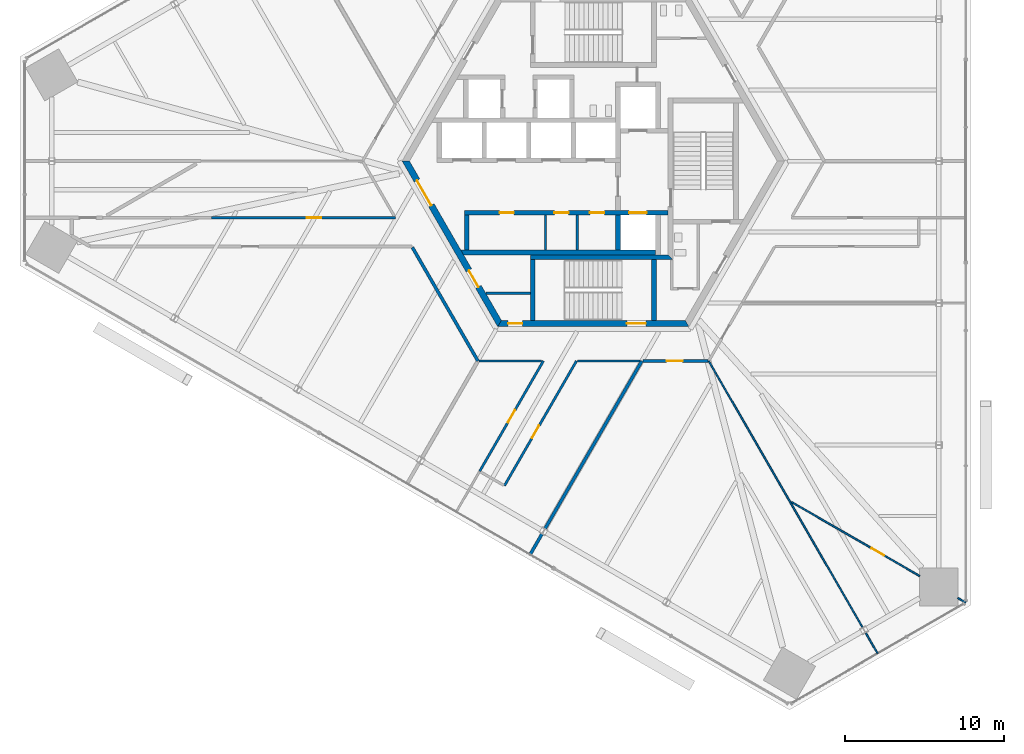
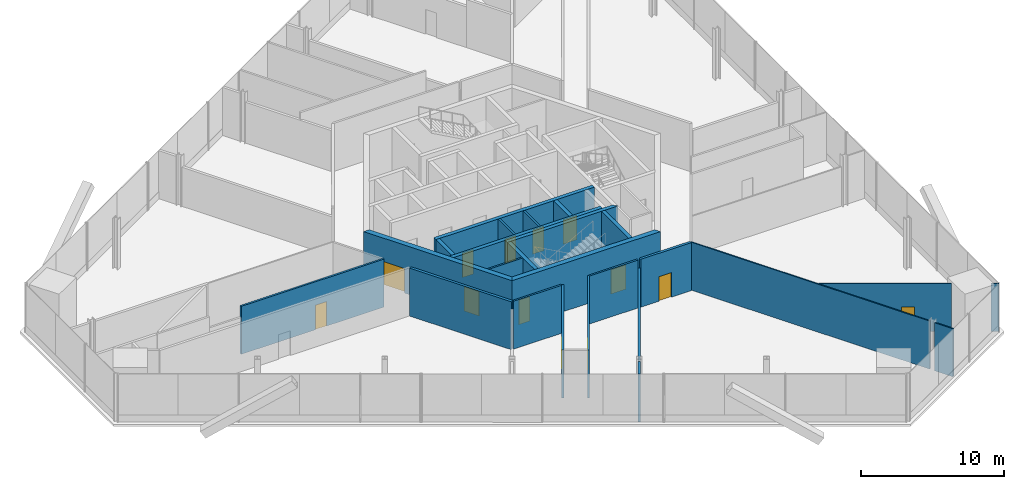
# One storey, part 11 of 16: 25 walls, 13 doors, 13 openings.
"""IFC4 building model written with IfcOpenShell, lengths in metres."""

from ifc_helpers import new_model, si_unit, direction, frame, frame_2d, origin, place, context, subcontext, project, spatial, polyline, rectangle, outline, extrude, source, transform, mapped, material, layer, layer_set, type_object, element, fill, save


model = new_model("IFC4")

# Units and contexts
model_context = context("Model", 3, precision=1e-05, world=origin(), true_north=direction((0.0, 1.0)))
body_context = subcontext(model_context, "Body", "Model", "MODEL_VIEW")
ifc_project = project(units=[si_unit("LENGTHUNIT", "METRE"), si_unit("AREAUNIT", "SQUARE_METRE"), si_unit("VOLUMEUNIT", "CUBIC_METRE"), si_unit("PLANEANGLEUNIT", "RADIAN"), si_unit("MASSUNIT", "GRAM", prefix="KILO")], contexts=[model_context])

# Site, building, storey
site_placement = place(None, origin())
site = spatial("IfcSite", under=ifc_project, at=site_placement, CompositionType="ELEMENT")
building_placement = place(site_placement, origin())
building = spatial("IfcBuilding", under=site, at=building_placement, Name="Triune Harvest Tower", CompositionType="ELEMENT")
storey_placement = place(building_placement, frame((0.0, 0.0, 20.300048828125)))
storey = spatial("IfcBuildingStorey", under=building, at=storey_placement, Name="L04", CompositionType="ELEMENT", Elevation=20.300048828125)

# Wall, openings, doors
ifc_material_1 = material(Name="Concrete 70 MPa", Category="concrete")
ifc_layer_1 = layer(ifc_material_1, 0.39990234375)
ifc_layer_set_1 = layer_set([ifc_layer_1], Name="Concrete 70 MPa")
wall_type_1 = type_object("IfcWallType", Name="Core wall 400", PredefinedType="SHEAR", material=ifc_layer_set_1)
shared_shape_1 = source(origin(), body_context, "Body", "SweptSolid", [
    extrude(outline(polyline([(-0.115478515625, -0.199951171875), (11.884521484375, -0.199951171875), (11.653564453125, 0.199951171875), (0.115478515625, 0.199951171875), (-0.115478515625, -0.199951171875)])), origin(), (0.0, 0.0, 1.0), 4.099853515625),
])
wall_1_placement = place(storey_placement, frame((-11.76904296875, 0.0, 0.0), z_axis=(0.0, 0.0, 1.0), x_axis=(0.499996592174, -0.866027371285, 0.0)))
wall_1 = element("IfcWall", 1, at=wall_1_placement, inside=storey, type_object=wall_type_1, Name="Hexagon 3 wall", PredefinedType="SHEAR", context=body_context, shape_type="MappedRepresentation", body=[
    mapped(shared_shape_1, transform((0.0, 0.0, 0.0), scale=1.0)),
])
opening_1_placement = place(wall_1_placement, frame((1.404541015625, 0.0, 0.0)))
opening_1 = element("IfcOpeningElement", 2, at=opening_1_placement, cuts=wall_1, Name="Opening CD-LS", PredefinedType="OPENING", context=body_context, shape_type="SweptSolid", body=[
    extrude(rectangle(XDim=1.800048828125, YDim=2.10009765625, at=frame_2d((0.89990234375, 1.050048828125))), frame((0.0, 0.2099609375, 0.0), z_axis=(0.0, -1.0, 0.0), x_axis=(1.0, 0.0, 0.0)), (0.0, 0.0, 1.0), 0.419921875),
])
opening_2_placement = place(wall_1_placement, frame((7.91455078125, 0.0, 0.0)))
opening_2 = element("IfcOpeningElement", 3, at=opening_2_placement, cuts=wall_1, Name="Opening CD-SWP", PredefinedType="OPENING", context=body_context, shape_type="SweptSolid", body=[
    extrude(rectangle(XDim=1.199951171875, YDim=2.10009765625, at=frame_2d((0.60009765625, 1.050048828125))), frame((0.0, 0.2099609375, 0.0), z_axis=(0.0, -1.0, 0.0), x_axis=(1.0, 0.0, 0.0)), (0.0, 0.0, 1.0), 0.419921875),
])
ifc_material_2 = material(Name="Steel S235", Category="steel")
door_type_1 = type_object("IfcDoorType", Name="Lobby door 1800 FD120", OperationType="DOUBLE_DOOR_DOUBLE_SWING", PredefinedType="DOOR", material=ifc_material_2)
door_1_placement = place(opening_1_placement, frame((1.800048828125, 0.0, 0.0), z_axis=(0.0, 0.0, 1.0), x_axis=(-1.0, 0.0, 0.0)))
door_1 = element("IfcDoor", 4, at=door_1_placement, inside=storey, type_object=door_type_1, Name="Door CD-LS", OperationType="DOUBLE_DOOR_DOUBLE_SWING", OverallHeight=2.10009765625, OverallWidth=1.800048828125, PredefinedType="DOOR", context=body_context, shape_type="SweptSolid", body=[
    extrude(rectangle(XDim=1.800048828125, YDim=2.10009765625, at=frame_2d((0.89990234375, 1.050048828125))), frame((0.0, 0.02490234375, 0.0), z_axis=(0.0, -1.0, 0.0), x_axis=(1.0, 0.0, 0.0)), (0.0, 0.0, 1.0), 0.050048828125),
])
fill(opening_1, door_1)
ifc_material_3 = material(Name="Steel S235", Category="steel")
door_type_2 = type_object("IfcDoorType", Name="Service door 1200 FD120", OperationType="SINGLE_SWING_LEFT", PredefinedType="DOOR", material=ifc_material_3)
door_2_placement = place(opening_2_placement, frame((1.199951171875, 0.0, 0.0), z_axis=(0.0, 0.0, 1.0), x_axis=(-1.0, 0.0, 0.0)))
door_2 = element("IfcDoor", 5, at=door_2_placement, inside=storey, type_object=door_type_2, Name="Door CD-SWP", OperationType="SINGLE_SWING_RIGHT", OverallHeight=2.10009765625, OverallWidth=1.199951171875, PredefinedType="DOOR", context=body_context, shape_type="SweptSolid", body=[
    extrude(rectangle(XDim=1.199951171875, YDim=2.10009765625, at=frame_2d((0.60009765625, 1.050048828125))), frame((0.0, 0.02490234375, 0.0), z_axis=(0.0, -1.0, 0.0), x_axis=(1.0, 0.0, 0.0)), (0.0, 0.0, 1.0), 0.050048828125),
])
fill(opening_2, door_2)

wall_2_placement = place(storey_placement, frame((-5.884521484375, -10.1923828125, 0.0), z_axis=(0.0, 0.0, 1.0), x_axis=(1.0, 0.0, 0.0)))
wall_2 = element("IfcWall", 6, at=wall_2_placement, inside=storey, type_object=wall_type_1, Name="Hexagon 4 wall", PredefinedType="SHEAR", context=body_context, shape_type="MappedRepresentation", body=[
    mapped(shared_shape_1, transform((0.0, 0.0, 0.0), scale=1.0)),
])
opening_3_placement = place(wall_2_placement, frame((7.984619140625, 0.0, 0.0)))
opening_3 = element("IfcOpeningElement", 7, at=opening_3_placement, cuts=wall_2, Name="Opening CD-S2P", PredefinedType="OPENING", context=body_context, shape_type="SweptSolid", body=[
    extrude(rectangle(XDim=1.199951171875, YDim=2.10009765625, at=frame_2d((0.60009765625, 1.050048828125))), frame((0.0, 0.2099609375, 0.0), z_axis=(0.0, -1.0, 0.0), x_axis=(1.0, 0.0, 0.0)), (0.0, 0.0, 1.0), 0.419921875),
])
opening_4_placement = place(wall_2_placement, frame((0.534423828125, 0.0, 0.0)))
opening_4 = element("IfcOpeningElement", 8, at=opening_4_placement, cuts=wall_2, Name="Opening CD-SWS", PredefinedType="OPENING", context=body_context, shape_type="SweptSolid", body=[
    extrude(rectangle(XDim=0.89990234375, YDim=2.10009765625, at=frame_2d((0.449951171875, 1.050048828125))), frame((0.0, 0.2099609375, 0.0), z_axis=(0.0, -1.0, 0.0), x_axis=(1.0, 0.0, 0.0)), (0.0, 0.0, 1.0), 0.419921875),
])
ifc_material_4 = material(Name="Steel S235", Category="steel")
door_type_3 = type_object("IfcDoorType", Name="Riser door 900 FD120", OperationType="SINGLE_SWING_LEFT", PredefinedType="DOOR", material=ifc_material_4)
door_3_placement = place(opening_4_placement, frame((0.89990234375, 0.0, 0.0), z_axis=(0.0, 0.0, 1.0), x_axis=(-1.0, 0.0, 0.0)))
door_3 = element("IfcDoor", 9, at=door_3_placement, inside=storey, type_object=door_type_3, Name="Door CD-SWS", OperationType="SINGLE_SWING_RIGHT", OverallHeight=2.10009765625, OverallWidth=0.89990234375, PredefinedType="DOOR", context=body_context, shape_type="SweptSolid", body=[
    extrude(rectangle(XDim=0.89990234375, YDim=2.10009765625, at=frame_2d((0.449951171875, 1.050048828125))), frame((0.0, 0.02490234375, 0.0), z_axis=(0.0, -1.0, 0.0), x_axis=(1.0, 0.0, 0.0)), (0.0, 0.0, 1.0), 0.050048828125),
])
fill(opening_4, door_3)
ifc_material_5 = material(Name="Steel S235", Category="steel")
door_type_4 = type_object("IfcDoorType", Name="Stair door 1200 FD120", OperationType="SINGLE_SWING_LEFT", PredefinedType="DOOR", material=ifc_material_5)
door_4_placement = place(opening_3_placement, frame((1.199951171875, 0.0, 0.0), z_axis=(0.0, 0.0, 1.0), x_axis=(-1.0, 0.0, 0.0)))
door_4 = element("IfcDoor", 10, at=door_4_placement, inside=storey, type_object=door_type_4, Name="Door CD-S2P", OperationType="SINGLE_SWING_RIGHT", OverallHeight=2.10009765625, OverallWidth=1.199951171875, PredefinedType="DOOR", context=body_context, shape_type="SweptSolid", body=[
    extrude(rectangle(XDim=1.199951171875, YDim=2.10009765625, at=frame_2d((0.60009765625, 1.050048828125))), frame((0.0, 0.02490234375, 0.0), z_axis=(0.0, -1.0, 0.0), x_axis=(1.0, 0.0, 0.0)), (0.0, 0.0, 1.0), 0.050048828125),
])
fill(opening_3, door_4)

ifc_material_6 = material(Name="Concrete 70 MPa", Category="concrete")
ifc_layer_2 = layer(ifc_material_6, 0.300048828125)
ifc_layer_set_2 = layer_set([ifc_layer_2], Name="Concrete 70 MPa")
wall_type_2 = type_object("IfcWallType", Name="Core wall 300", PredefinedType="SHEAR", material=ifc_layer_set_2)
shared_shape_2 = source(origin(), body_context, "Body", "SweptSolid", [
    extrude(rectangle(XDim=12.800048828125, YDim=0.300048828125, at=frame_2d((6.39990234375, 0.0))), origin(), (0.0, 0.0, 1.0), 4.099853515625),
])
wall_3_placement = place(storey_placement, frame((-8.10009765625, -3.239990234375, 0.0), z_axis=(0.0, 0.0, 1.0), x_axis=(1.0, 0.0, 0.0)))
wall_3 = element("IfcWall", 11, at=wall_3_placement, inside=storey, type_object=wall_type_2, Name="South front wall", PredefinedType="SHEAR", context=body_context, shape_type="MappedRepresentation", body=[
    mapped(shared_shape_2, transform((0.0, 0.0, 0.0), scale=1.0)),
])
opening_5_placement = place(wall_3_placement, frame((2.21240234375, 0.0, 0.0)))
opening_5 = element("IfcOpeningElement", 12, at=opening_5_placement, cuts=wall_3, Name="Opening CD-RS1", PredefinedType="OPENING", context=body_context, shape_type="SweptSolid", body=[
    extrude(rectangle(XDim=0.89990234375, YDim=2.10009765625, at=frame_2d((0.449951171875, 1.050048828125))), frame((0.0, 0.16015625, 0.0), z_axis=(0.0, -1.0, 0.0), x_axis=(1.0, 0.0, 0.0)), (0.0, 0.0, 1.0), 0.320068359375),
])
opening_6_placement = place(wall_3_placement, frame((5.64990234375, 0.0, 0.0)))
opening_6 = element("IfcOpeningElement", 13, at=opening_6_placement, cuts=wall_3, Name="Opening CD-RS2", PredefinedType="OPENING", context=body_context, shape_type="SweptSolid", body=[
    extrude(rectangle(XDim=0.89990234375, YDim=2.10009765625, at=frame_2d((0.449951171875, 1.050048828125))), frame((0.0, 0.16015625, 0.0), z_axis=(0.0, -1.0, 0.0), x_axis=(1.0, 0.0, 0.0)), (0.0, 0.0, 1.0), 0.320068359375),
])
opening_7_placement = place(wall_3_placement, frame((7.887451171875, 0.0, 0.0)))
opening_7 = element("IfcOpeningElement", 14, at=opening_7_placement, cuts=wall_3, Name="Opening CD-RS3", PredefinedType="OPENING", context=body_context, shape_type="SweptSolid", body=[
    extrude(rectangle(XDim=0.89990234375, YDim=2.10009765625, at=frame_2d((0.449951171875, 1.050048828125))), frame((0.0, 0.16015625, 0.0), z_axis=(0.0, -1.0, 0.0), x_axis=(1.0, 0.0, 0.0)), (0.0, 0.0, 1.0), 0.320068359375),
])
opening_8_placement = place(wall_3_placement, frame((10.35009765625, 0.0, 0.0)))
opening_8 = element("IfcOpeningElement", 15, at=opening_8_placement, cuts=wall_3, Name="Opening LD-FF2-04", PredefinedType="OPENING", context=body_context, shape_type="SweptSolid", body=[
    extrude(rectangle(XDim=1.10009765625, YDim=2.10009765625, at=frame_2d((0.550048828125, 1.050048828125))), frame((0.0, 0.16015625, 0.0), z_axis=(0.0, -1.0, 0.0), x_axis=(1.0, 0.0, 0.0)), (0.0, 0.0, 1.0), 0.320068359375),
])
ifc_material_7 = material(Name="Stainless steel AISI 304", Category="steel")
door_type_5 = type_object("IfcDoorType", Name="Landing door 1100 x 2100", OperationType="DOUBLE_DOOR_SLIDING", PredefinedType="DOOR", material=ifc_material_7)
door_5_placement = place(opening_8_placement, origin())
door_5 = element("IfcDoor", 16, at=door_5_placement, inside=storey, type_object=door_type_5, Name="Door LD-FF2-04", OperationType="DOUBLE_DOOR_SLIDING", OverallHeight=2.10009765625, OverallWidth=1.10009765625, PredefinedType="DOOR", context=body_context, shape_type="SweptSolid", body=[
    extrude(rectangle(XDim=1.10009765625, YDim=2.10009765625, at=frame_2d((0.550048828125, 1.050048828125))), frame((0.0, 0.02490234375, 0.0), z_axis=(0.0, -1.0, 0.0), x_axis=(1.0, 0.0, 0.0)), (0.0, 0.0, 1.0), 0.050048828125),
])
fill(opening_8, door_5)
door_6_placement = place(opening_5_placement, origin())
door_6 = element("IfcDoor", 17, at=door_6_placement, inside=storey, type_object=door_type_3, Name="Door CD-RS1", OperationType="SINGLE_SWING_LEFT", OverallHeight=2.10009765625, OverallWidth=0.89990234375, PredefinedType="DOOR", context=body_context, shape_type="SweptSolid", body=[
    extrude(rectangle(XDim=0.89990234375, YDim=2.10009765625, at=frame_2d((0.449951171875, 1.050048828125))), frame((0.0, 0.02490234375, 0.0), z_axis=(0.0, -1.0, 0.0), x_axis=(1.0, 0.0, 0.0)), (0.0, 0.0, 1.0), 0.050048828125),
])
fill(opening_5, door_6)
door_7_placement = place(opening_6_placement, origin())
door_7 = element("IfcDoor", 18, at=door_7_placement, inside=storey, type_object=door_type_3, Name="Door CD-RS2", OperationType="SINGLE_SWING_LEFT", OverallHeight=2.10009765625, OverallWidth=0.89990234375, PredefinedType="DOOR", context=body_context, shape_type="SweptSolid", body=[
    extrude(rectangle(XDim=0.89990234375, YDim=2.10009765625, at=frame_2d((0.449951171875, 1.050048828125))), frame((0.0, 0.02490234375, 0.0), z_axis=(0.0, -1.0, 0.0), x_axis=(1.0, 0.0, 0.0)), (0.0, 0.0, 1.0), 0.050048828125),
])
fill(opening_6, door_7)
door_8_placement = place(opening_7_placement, origin())
door_8 = element("IfcDoor", 19, at=door_8_placement, inside=storey, type_object=door_type_3, Name="Door CD-RS3", OperationType="SINGLE_SWING_LEFT", OverallHeight=2.10009765625, OverallWidth=0.89990234375, PredefinedType="DOOR", context=body_context, shape_type="SweptSolid", body=[
    extrude(rectangle(XDim=0.89990234375, YDim=2.10009765625, at=frame_2d((0.449951171875, 1.050048828125))), frame((0.0, 0.02490234375, 0.0), z_axis=(0.0, -1.0, 0.0), x_axis=(1.0, 0.0, 0.0)), (0.0, 0.0, 1.0), 0.050048828125),
])
fill(opening_7, door_8)

# Walls
shared_shape_3 = source(origin(), body_context, "Body", "SweptSolid", [
    extrude(outline(polyline([(12.0, -0.14990234375), (-0.039794921875, -0.14990234375), (-0.212890625, 0.14990234375), (12.0, 0.14990234375), (12.0, -0.14990234375)])), origin(), (0.0, 0.0, 1.0), 4.099853515625),
])
wall_4_placement = place(storey_placement, frame((-8.10009765625, -5.739990234375, 0.0), z_axis=(0.0, 0.0, 1.0), x_axis=(1.0, 0.0, 0.0)))
element("IfcWall", 20, at=wall_4_placement, inside=storey, type_object=wall_type_2, Name="South back wall", PredefinedType="SHEAR", context=body_context, shape_type="MappedRepresentation", body=[
    mapped(shared_shape_3, transform((0.0, 0.0, 0.0), scale=1.0)),
])
shared_shape_4 = source(origin(), body_context, "Body", "SweptSolid", [
    extrude(rectangle(XDim=2.2001953125, YDim=0.300048828125, at=frame_2d((1.10009765625, 0.0))), origin(), (0.0, 0.0, 1.0), 4.099853515625),
])
for number, where, z_axis, x_axis, name in (
    (21, (-7.949951171875, -5.590087890625, 0.0), (0.0, 0.0, 1.0), (0.0, 1.0, 0.0), "South end west wall"),
    (22, (1.550048828125, -5.590087890625, 0.0), (0.0, 0.0, 1.0), (0.0, 1.0, 0.0), "Ff2 west wall"),
):
    element("IfcWall", number, at=place(storey_placement, frame(where, z_axis=z_axis, x_axis=x_axis)), inside=storey, type_object=wall_type_2, Name=name, PredefinedType="SHEAR", context=body_context, shape_type="MappedRepresentation", body=[
        mapped(shared_shape_4, transform((0.0, 0.0, 0.0), scale=1.0)),
    ])
shared_shape_5 = source(origin(), body_context, "Body", "SweptSolid", [
    extrude(outline(polyline([(0.0, -0.14990234375), (8.949951171875, -0.14990234375), (8.64990234375, 0.14990234375), (0.0, 0.14990234375), (0.0, -0.14990234375)])), origin(), (0.0, 0.0, 1.0), 4.099853515625),
])
wall_5_placement = place(storey_placement, frame((-3.949951171875, -6.0400390625, 0.0), z_axis=(0.0, 0.0, 1.0), x_axis=(1.0, 0.0, 0.0)))
element("IfcWall", 23, at=wall_5_placement, inside=storey, type_object=wall_type_2, Name="Stair s north wall", PredefinedType="SHEAR", context=body_context, shape_type="MappedRepresentation", body=[
    mapped(shared_shape_5, transform((0.0, 0.0, 0.0), scale=1.0)),
])
shared_shape_6 = source(origin(), body_context, "Body", "SweptSolid", [
    extrude(outline(polyline([(3.800048828125, -0.14990234375), (-0.00439453125, -0.14990234375), (-0.00439453125, 0.14990234375), (3.800048828125, 0.14990234375), (3.800048828125, -0.14990234375)])), origin(), (0.0, 0.0, 1.0), 4.099853515625),
])
for number, where, z_axis, x_axis, name in (
    (24, (-3.800048828125, -9.989990234375, 0.0), (0.0, 0.0, 1.0), (0.0, 1.0, 0.0), "Stair s west wall"),
    (25, (3.800048828125, -9.989990234375, 0.0), (0.0, 0.0, 1.0), (0.0, 1.0, 0.0), "Stair s east wall"),
):
    element("IfcWall", number, at=place(storey_placement, frame(where, z_axis=z_axis, x_axis=x_axis)), inside=storey, type_object=wall_type_2, Name=name, PredefinedType="SHEAR", context=body_context, shape_type="MappedRepresentation", body=[
        mapped(shared_shape_6, transform((0.0, 0.0, 0.0), scale=1.0)),
    ])
ifc_material_8 = material(Name="Concrete masonry unit", Category="masonry")
ifc_layer_3 = layer(ifc_material_8, 0.14990234375)
ifc_layer_set_3 = layer_set([ifc_layer_3], Name="Concrete masonry unit")
wall_type_3 = type_object("IfcWallType", Name="Block partition 150", PredefinedType="PARTITIONING", material=ifc_layer_set_3)
shared_shape_7 = source(origin(), body_context, "Body", "SweptSolid", [
    extrude(rectangle(XDim=2.2001953125, YDim=0.14990234375, at=frame_2d((1.10009765625, 0.0))), origin(), (0.0, 0.0, 1.0), 4.099853515625),
])
for number, where, z_axis, x_axis, name in (
    (26, (-3.0, -5.590087890625, 0.0), (0.0, 0.0, 1.0), (0.0, 1.0, 0.0), "Row s part 1 wall"),
    (27, (-1.0, -5.590087890625, 0.0), (0.0, 0.0, 1.0), (0.0, 1.0, 0.0), "Row s part 2 wall"),
):
    element("IfcWall", number, at=place(storey_placement, frame(where, z_axis=z_axis, x_axis=x_axis)), inside=storey, type_object=wall_type_3, Name=name, PredefinedType="PARTITIONING", context=body_context, shape_type="MappedRepresentation", body=[
        mapped(shared_shape_7, transform((0.0, 0.0, 0.0), scale=1.0)),
    ])
shared_shape_8 = source(origin(), body_context, "Body", "SweptSolid", [
    extrude(rectangle(XDim=2.777099609375, YDim=0.14990234375, at=frame_2d((1.388671875, 0.0))), origin(), (0.0, 0.0, 1.0), 4.099853515625),
])
wall_6_placement = place(storey_placement, frame((-6.72705078125, -8.300048828125, 0.0), z_axis=(0.0, 0.0, 1.0), x_axis=(1.0, 0.0, 0.0)))
element("IfcWall", 28, at=wall_6_placement, inside=storey, type_object=wall_type_3, Name="Sw part wall", PredefinedType="PARTITIONING", context=body_context, shape_type="MappedRepresentation", body=[
    mapped(shared_shape_8, transform((0.0, 0.0, 0.0), scale=1.0)),
])
ifc_material_9 = material(Name="Gypsum board on steel studs", Category="steel")
ifc_layer_4 = layer(ifc_material_9, 0.199951171875)
ifc_layer_set_4 = layer_set([ifc_layer_4], Name="Gypsum board on steel studs")
wall_type_4 = type_object("IfcWallType", Name="Fire Wall 200 mm", PredefinedType="PARTITIONING", material=ifc_layer_set_4)
shared_shape_9 = source(origin(), body_context, "Body", "SweptSolid", [
    extrude(rectangle(XDim=12.14794921875, YDim=0.199951171875, at=frame_2d((6.073974609375, 0.0))), origin(), (0.0, 0.0, 1.0), 3.343017578125),
])
wall_7_placement = place(storey_placement, frame((-3.02685546875, -23.062744140625, 0.0), z_axis=(0.0, 0.0, 1.0), x_axis=(0.499997320042, 0.866026951053, 0.0)))
element("IfcWall", 29, at=wall_7_placement, inside=storey, type_object=wall_type_4, Name="Partition L04 046", PredefinedType="PARTITIONING", context=body_context, shape_type="MappedRepresentation", body=[
    mapped(shared_shape_9, transform((0.0, 0.0, 0.0), scale=1.0)),
])
shared_shape_10 = source(origin(), body_context, "Body", "SweptSolid", [
    extrude(rectangle(XDim=8.229248046875, YDim=0.199951171875, at=frame_2d((4.11474609375, 0.0))), origin(), (0.0, 0.0, 1.0), 4.099853515625),
])
wall_8_placement = place(storey_placement, frame((-11.35595703125, -5.41552734375, 0.0), z_axis=(0.0, 0.0, 1.0), x_axis=(0.500012644715, -0.866018103232, 0.0)))
element("IfcWall", 30, at=wall_8_placement, inside=storey, type_object=wall_type_4, Name="Partition L04 002", PredefinedType="PARTITIONING", context=body_context, shape_type="MappedRepresentation", body=[
    mapped(shared_shape_10, transform((0.0, 0.0, 0.0), scale=1.0)),
])
ifc_material_10 = material(Name="Gypsum board on steel studs", Category="steel")
ifc_layer_5 = layer(ifc_material_10, 0.10009765625)
ifc_layer_set_5 = layer_set([ifc_layer_5], Name="Gypsum board on steel studs")
wall_type_5 = type_object("IfcWallType", Name="Partition 100 mm", PredefinedType="PARTITIONING", material=ifc_layer_set_5)
shared_shape_11 = source(origin(), body_context, "Body", "SweptSolid", [
    extrude(rectangle(XDim=19.31298828125, YDim=0.10009765625, at=frame_2d((9.656494140625, 0.0))), origin(), (0.0, 0.0, 1.0), 4.099853515625),
])
wall_9_placement = place(storey_placement, frame((7.2412109375, -12.542236328125, 0.0), z_axis=(0.0, 0.0, 1.0), x_axis=(0.499998935845, -0.866026018174, 0.0)))
element("IfcWall", 31, at=wall_9_placement, inside=storey, type_object=wall_type_5, Name="Partition L04 007", PredefinedType="PARTITIONING", context=body_context, shape_type="MappedRepresentation", body=[
    mapped(shared_shape_11, transform((0.0, 0.0, 0.0), scale=1.0)),
])
shared_shape_12 = source(origin(), body_context, "Body", "SweptSolid", [
    extrude(rectangle(XDim=1.498779296875, YDim=0.10009765625, at=frame_2d((0.74951171875, 0.0))), origin(), (0.0, 0.0, 1.0), 4.099853515625),
])
wall_10_placement = place(storey_placement, frame((17.0908203125, -29.602294921875, 0.0), z_axis=(0.0, 0.0, 1.0), x_axis=(0.499905760005, -0.866079806435, 0.0)))
element("IfcWall", 32, at=wall_10_placement, inside=storey, type_object=wall_type_5, Name="Partition L04 008", PredefinedType="PARTITIONING", context=body_context, shape_type="MappedRepresentation", body=[
    mapped(shared_shape_12, transform((0.0, 0.0, 0.0), scale=1.0)),
])
shared_shape_13 = source(origin(), body_context, "Body", "SweptSolid", [
    extrude(rectangle(XDim=1.498779296875, YDim=0.199951171875, at=frame_2d((0.74951171875, 0.0))), origin(), (0.0, 0.0, 1.0), 4.099853515625),
])
wall_11_placement = place(storey_placement, frame((-3.969482421875, -24.6953125, 0.0), z_axis=(0.0, 0.0, 1.0), x_axis=(0.499905760005, 0.866079806435, 0.0)))
element("IfcWall", 33, at=wall_11_placement, inside=storey, type_object=wall_type_4, Name="Partition L04 045", PredefinedType="PARTITIONING", context=body_context, shape_type="MappedRepresentation", body=[
    mapped(shared_shape_13, transform((0.0, 0.0, 0.0), scale=1.0)),
])

# Wall, opening, door
shared_shape_14 = source(origin(), body_context, "Body", "SweptSolid", [
    extrude(rectangle(XDim=9.2958984375, YDim=0.10009765625, at=frame_2d((4.64794921875, 0.0))), origin(), (0.0, 0.0, 1.0), 4.099853515625),
])
wall_12_placement = place(storey_placement, frame((12.43896484375, -21.39501953125, 0.0), z_axis=(0.0, 0.0, 1.0), x_axis=(0.866026826754, -0.499997535337, 0.0)))
wall_12 = element("IfcWall", 34, at=wall_12_placement, inside=storey, type_object=wall_type_5, Name="Partition L04 019", PredefinedType="PARTITIONING", context=body_context, shape_type="MappedRepresentation", body=[
    mapped(shared_shape_14, transform((0.0, 0.0, 0.0), scale=1.0)),
])
opening_9_placement = place(wall_12_placement, frame((5.800048828125, 0.0, 0.0)))
opening_9 = element("IfcOpeningElement", 35, at=opening_9_placement, cuts=wall_12, Name="Opening L04-022", PredefinedType="OPENING", context=body_context, shape_type="SweptSolid", body=[
    extrude(rectangle(XDim=0.89990234375, YDim=2.10009765625, at=frame_2d((0.449951171875, 1.050048828125))), frame((0.0, 0.06005859375, 0.0), z_axis=(0.0, -1.0, 0.0), x_axis=(1.0, 0.0, 0.0)), (0.0, 0.0, 1.0), 0.1201171875),
])
ifc_material_11 = material(Name="Timber and steel door set", Category="steel")
door_type_6 = type_object("IfcDoorType", Name="Single leaf door left hand 900 x 2100", OperationType="SINGLE_SWING_LEFT", PredefinedType="DOOR", material=ifc_material_11)
door_9_placement = place(opening_9_placement, origin())
door_9 = element("IfcDoor", 36, at=door_9_placement, inside=storey, type_object=door_type_6, Name="Door L04-022 Laboratory 04.22", OperationType="SINGLE_SWING_LEFT", OverallHeight=2.10009765625, OverallWidth=0.89990234375, PredefinedType="DOOR", context=body_context, shape_type="SweptSolid", body=[
    extrude(rectangle(XDim=0.89990234375, YDim=2.10009765625, at=frame_2d((0.449951171875, 1.050048828125))), frame((0.0, 0.02490234375, 0.0), z_axis=(0.0, -1.0, 0.0), x_axis=(1.0, 0.0, 0.0)), (0.0, 0.0, 1.0), 0.050048828125),
])
fill(opening_9, door_9)

# Walls
shared_shape_15 = source(origin(), body_context, "Body", "SweptSolid", [
    extrude(rectangle(XDim=0.57958984375, YDim=0.10009765625, at=frame_2d((0.289794921875, 0.0))), origin(), (0.0, 0.0, 1.0), 4.099853515625),
])
wall_13_placement = place(storey_placement, frame((22.869384765625, -27.4169921875, 0.0), z_axis=(0.0, 0.0, 1.0), x_axis=(0.866031268329, -0.499989842173, 0.0)))
element("IfcWall", 37, at=wall_13_placement, inside=storey, type_object=wall_type_5, Name="Partition L04 020", PredefinedType="PARTITIONING", context=body_context, shape_type="MappedRepresentation", body=[
    mapped(shared_shape_15, transform((0.0, 0.0, 0.0), scale=1.0)),
])
ifc_material_12 = material(Name="Gypsum board on steel studs", Category="steel")
ifc_layer_6 = layer(ifc_material_12, 0.14990234375)
ifc_layer_set_6 = layer_set([ifc_layer_6], Name="Gypsum board on steel studs")
wall_type_6 = type_object("IfcWallType", Name="Fire Partition 150 mm", PredefinedType="PARTITIONING", material=ifc_layer_set_6)
shared_shape_16 = source(origin(), body_context, "Body", "SweptSolid", [
    extrude(rectangle(XDim=3.925048828125, YDim=0.14990234375, at=frame_2d((1.96240234375, 0.0))), origin(), (0.0, 0.0, 1.0), 4.099853515625),
])
wall_14_placement = place(storey_placement, frame((-7.17138671875, -12.542236328125, 0.0), z_axis=(0.0, 0.0, 1.0), x_axis=(1.0, 0.0, 0.0)))
element("IfcWall", 38, at=wall_14_placement, inside=storey, type_object=wall_type_6, Name="Partition L04 022", PredefinedType="PARTITIONING", context=body_context, shape_type="MappedRepresentation", body=[
    mapped(shared_shape_16, transform((0.0, 0.0, 0.0), scale=1.0)),
])
shared_shape_17 = source(origin(), body_context, "Body", "SweptSolid", [
    extrude(rectangle(XDim=3.92138671875, YDim=0.14990234375, at=frame_2d((1.960693359375, 0.0))), origin(), (0.0, 0.0, 1.0), 4.099853515625),
])
wall_15_placement = place(storey_placement, frame((-1.0078125, -12.542236328125, 0.0), z_axis=(0.0, 0.0, 1.0), x_axis=(1.0, 0.0, 0.0)))
element("IfcWall", 39, at=wall_15_placement, inside=storey, type_object=wall_type_6, Name="Partition L04 023", PredefinedType="PARTITIONING", context=body_context, shape_type="MappedRepresentation", body=[
    mapped(shared_shape_17, transform((0.0, 0.0, 0.0), scale=1.0)),
])

# Wall, opening, door
shared_shape_18 = source(origin(), body_context, "Body", "SweptSolid", [
    extrude(rectangle(XDim=4.09765625, YDim=0.199951171875, at=frame_2d((2.048828125, 0.0))), origin(), (0.0, 0.0, 1.0), 4.099853515625),
])
wall_16_placement = place(storey_placement, frame((3.113525390625, -12.542236328125, 0.0), z_axis=(0.0, 0.0, 1.0), x_axis=(1.0, 0.0, 0.0)))
wall_16 = element("IfcWall", 40, at=wall_16_placement, inside=storey, type_object=wall_type_4, Name="Partition L04 024", PredefinedType="PARTITIONING", context=body_context, shape_type="MappedRepresentation", body=[
    mapped(shared_shape_18, transform((0.0, 0.0, 0.0), scale=1.0)),
])
opening_10_placement = place(wall_16_placement, frame((1.4833984375, 0.0, 0.0)))
opening_10 = element("IfcOpeningElement", 41, at=opening_10_placement, cuts=wall_16, Name="Opening L04-021", PredefinedType="OPENING", context=body_context, shape_type="SweptSolid", body=[
    extrude(rectangle(XDim=1.0, YDim=2.10009765625, at=frame_2d((0.5, 1.050048828125))), frame((0.0, 0.10986328125, 0.0), z_axis=(0.0, -1.0, 0.0), x_axis=(1.0, 0.0, 0.0)), (0.0, 0.0, 1.0), 0.219970703125),
])
ifc_material_13 = material(Name="Timber and steel door set", Category="steel")
door_type_7 = type_object("IfcDoorType", Name="Wide single leaf door FD60 right hand 1000 x 2100", OperationType="SINGLE_SWING_RIGHT", PredefinedType="DOOR", material=ifc_material_13)
door_10_placement = place(opening_10_placement, origin())
door_10 = element("IfcDoor", 42, at=door_10_placement, inside=storey, type_object=door_type_7, Name="Door L04-021 Growing Room 04.21", OperationType="SINGLE_SWING_RIGHT", OverallHeight=2.10009765625, OverallWidth=1.0, PredefinedType="DOOR", context=body_context, shape_type="SweptSolid", body=[
    extrude(rectangle(XDim=1.0, YDim=2.10009765625, at=frame_2d((0.5, 1.050048828125))), frame((0.0, 0.02490234375, 0.0), z_axis=(0.0, -1.0, 0.0), x_axis=(1.0, 0.0, 0.0)), (0.0, 0.0, 1.0), 0.050048828125),
])
fill(opening_10, door_10)

shared_shape_19 = source(origin(), body_context, "Body", "SweptSolid", [
    extrude(rectangle(XDim=9.03857421875, YDim=0.14990234375, at=frame_2d((4.519287109375, 0.0))), origin(), (0.0, 0.0, 1.0), 4.099853515625),
])
wall_17_placement = place(storey_placement, frame((-5.5771484375, -20.369873046875, 0.0), z_axis=(0.0, 0.0, 1.0), x_axis=(0.499999912267, 0.866025454437, 0.0)))
wall_17 = element("IfcWall", 43, at=wall_17_placement, inside=storey, type_object=wall_type_6, Name="Partition L04 047", PredefinedType="PARTITIONING", context=body_context, shape_type="MappedRepresentation", body=[
    mapped(shared_shape_19, transform((0.0, 0.0, 0.0), scale=1.0)),
])
opening_11_placement = place(wall_17_placement, frame((3.448974609375, 0.0, 0.0)))
opening_11 = element("IfcOpeningElement", 44, at=opening_11_placement, cuts=wall_17, Name="Opening L04-020", PredefinedType="OPENING", context=body_context, shape_type="SweptSolid", body=[
    extrude(rectangle(XDim=0.89990234375, YDim=2.10009765625, at=frame_2d((0.449951171875, 1.050048828125))), frame((0.0, 0.0849609375, 0.0), z_axis=(0.0, -1.0, 0.0), x_axis=(1.0, 0.0, 0.0)), (0.0, 0.0, 1.0), 0.169921875),
])
ifc_material_14 = material(Name="Timber and steel door set", Category="steel")
door_type_8 = type_object("IfcDoorType", Name="Single leaf door FD30 right hand 900 x 2100", OperationType="SINGLE_SWING_RIGHT", PredefinedType="DOOR", material=ifc_material_14)
door_11_placement = place(opening_11_placement, origin())
door_11 = element("IfcDoor", 45, at=door_11_placement, inside=storey, type_object=door_type_8, Name="Door L04-020 Packing Room 04.20", OperationType="SINGLE_SWING_RIGHT", OverallHeight=2.10009765625, OverallWidth=0.89990234375, PredefinedType="DOOR", context=body_context, shape_type="SweptSolid", body=[
    extrude(rectangle(XDim=0.89990234375, YDim=2.10009765625, at=frame_2d((0.449951171875, 1.050048828125))), frame((0.0, 0.02490234375, 0.0), z_axis=(0.0, -1.0, 0.0), x_axis=(1.0, 0.0, 0.0)), (0.0, 0.0, 1.0), 0.050048828125),
])
fill(opening_11, door_11)

shared_shape_20 = source(origin(), body_context, "Body", "SweptSolid", [
    extrude(rectangle(XDim=11.547119140625, YDim=0.14990234375, at=frame_2d((5.7734375, 0.0))), origin(), (0.0, 0.0, 1.0), 4.099853515625),
])
wall_18_placement = place(storey_placement, frame((-23.977294921875, -3.554931640625, 0.0), z_axis=(0.0, 0.0, 1.0), x_axis=(1.0, 0.0, 0.0)))
wall_18 = element("IfcWall", 46, at=wall_18_placement, inside=storey, type_object=wall_type_6, Name="Partition L04 030b", PredefinedType="PARTITIONING", context=body_context, shape_type="MappedRepresentation", body=[
    mapped(shared_shape_20, transform((0.0, 0.0, 0.0), scale=1.0)),
])
opening_12_placement = place(wall_18_placement, frame((5.997314453125, 0.0, 0.0)))
opening_12 = element("IfcOpeningElement", 47, at=opening_12_placement, cuts=wall_18, Name="Opening L04-017", PredefinedType="OPENING", context=body_context, shape_type="SweptSolid", body=[
    extrude(rectangle(XDim=0.89990234375, YDim=2.10009765625, at=frame_2d((0.449951171875, 1.050048828125))), frame((0.0, 0.0849609375, 0.0), z_axis=(0.0, -1.0, 0.0), x_axis=(1.0, 0.0, 0.0)), (0.0, 0.0, 1.0), 0.169921875),
])
door_12_placement = place(opening_12_placement, origin())
door_12 = element("IfcDoor", 48, at=door_12_placement, inside=storey, type_object=door_type_8, Name="Door L04-017 Dry Store Room 04.17", OperationType="SINGLE_SWING_RIGHT", OverallHeight=2.10009765625, OverallWidth=0.89990234375, PredefinedType="DOOR", context=body_context, shape_type="SweptSolid", body=[
    extrude(rectangle(XDim=0.89990234375, YDim=2.10009765625, at=frame_2d((0.449951171875, 1.050048828125))), frame((0.0, 0.02490234375, 0.0), z_axis=(0.0, -1.0, 0.0), x_axis=(1.0, 0.0, 0.0)), (0.0, 0.0, 1.0), 0.050048828125),
])
fill(opening_12, door_12)

shared_shape_21 = source(origin(), body_context, "Body", "SweptSolid", [
    extrude(rectangle(XDim=7.99951171875, YDim=0.14990234375, at=frame_2d((3.999755859375, 0.0))), origin(), (0.0, 0.0, 1.0), 4.099853515625),
])
wall_19_placement = place(storey_placement, frame((-7.135986328125, -19.469970703125, 0.0), z_axis=(0.0, 0.0, 1.0), x_axis=(0.500002489515, 0.866023966458, 0.0)))
wall_19 = element("IfcWall", 49, at=wall_19_placement, inside=storey, type_object=wall_type_6, Name="Partition L04 050", PredefinedType="PARTITIONING", context=body_context, shape_type="MappedRepresentation", body=[
    mapped(shared_shape_21, transform((0.0, 0.0, 0.0), scale=1.0)),
])
opening_13_placement = place(wall_19_placement, frame((3.54931640625, 0.0, 0.0)))
opening_13 = element("IfcOpeningElement", 50, at=opening_13_placement, cuts=wall_19, Name="Opening L04-019", PredefinedType="OPENING", context=body_context, shape_type="SweptSolid", body=[
    extrude(rectangle(XDim=0.89990234375, YDim=2.10009765625, at=frame_2d((0.449951171875, 1.050048828125))), frame((0.0, 0.0849609375, 0.0), z_axis=(0.0, -1.0, 0.0), x_axis=(1.0, 0.0, 0.0)), (0.0, 0.0, 1.0), 0.169921875),
])
ifc_material_15 = material(Name="Timber and steel door set", Category="steel")
door_type_9 = type_object("IfcDoorType", Name="Single leaf door FD30 left hand 900 x 2100", OperationType="SINGLE_SWING_LEFT", PredefinedType="DOOR", material=ifc_material_15)
door_13_placement = place(opening_13_placement, origin())
door_13 = element("IfcDoor", 51, at=door_13_placement, inside=storey, type_object=door_type_9, Name="Door L04-019 Dry Store Room 04.19", OperationType="SINGLE_SWING_LEFT", OverallHeight=2.10009765625, OverallWidth=0.89990234375, PredefinedType="DOOR", context=body_context, shape_type="SweptSolid", body=[
    extrude(rectangle(XDim=0.89990234375, YDim=2.10009765625, at=frame_2d((0.449951171875, 1.050048828125))), frame((0.0, 0.02490234375, 0.0), z_axis=(0.0, -1.0, 0.0), x_axis=(1.0, 0.0, 0.0)), (0.0, 0.0, 1.0), 0.050048828125),
])
fill(opening_13, door_13)

save(model, "model.ifc")
